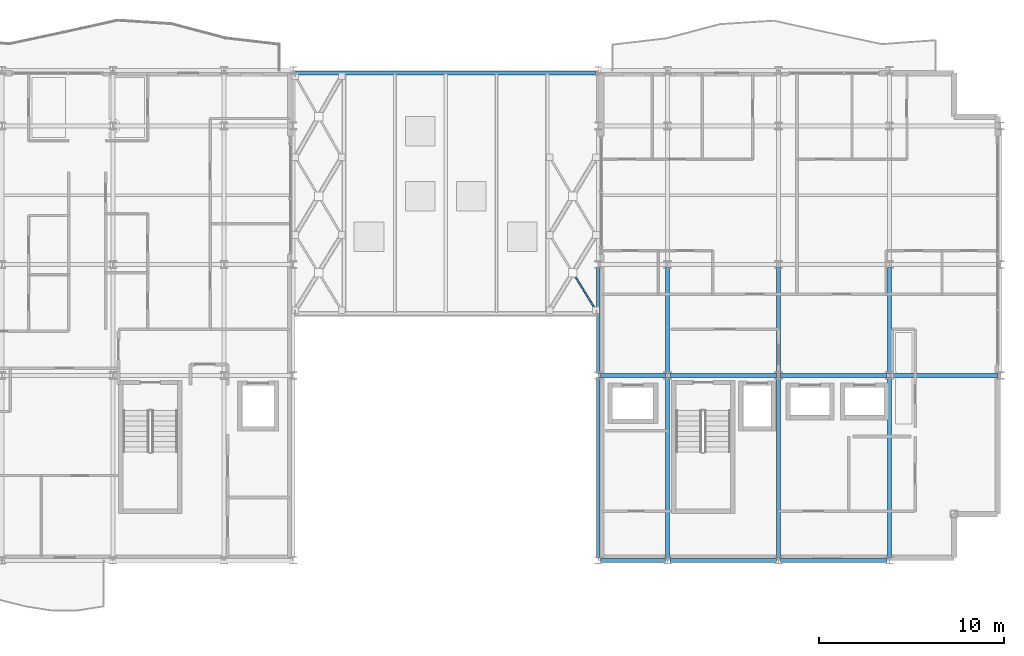
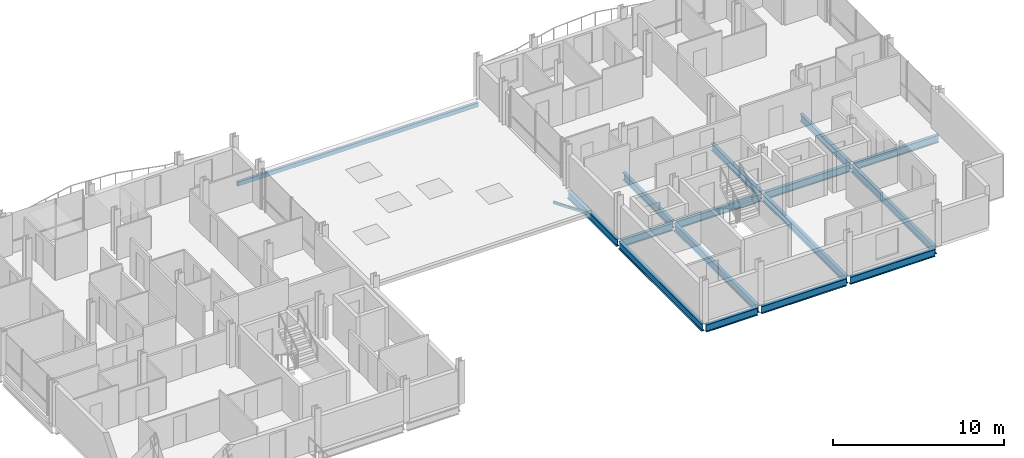
# One storey, part 12 of 33: 15 beams, 2 members.
"""IFC4 building model written with IfcOpenShell, lengths in metres."""

from ifc_helpers import new_model, si_unit, direction, frame, origin, origin_2d, place, context, subcontext, project, spatial, hollow_rectangle, i_section, extrude, material, material_profile, profile_set, type_object, element, save


model = new_model("IFC4")

# Units and contexts
model_context = context("Model", 3, precision=1e-05, world=origin(), true_north=direction((0.0, 1.0)))
body_context = subcontext(model_context, "Body", "Model", "MODEL_VIEW")
ifc_project = project(units=[si_unit("LENGTHUNIT", "METRE"), si_unit("AREAUNIT", "SQUARE_METRE"), si_unit("VOLUMEUNIT", "CUBIC_METRE"), si_unit("PLANEANGLEUNIT", "RADIAN"), si_unit("MASSUNIT", "GRAM", prefix="KILO")], contexts=[model_context])

# Site, building, storey
site_placement = place(None, origin())
site = spatial("IfcSite", under=ifc_project, at=site_placement, CompositionType="ELEMENT")
building_placement = place(site_placement, origin())
building = spatial("IfcBuilding", under=site, at=building_placement, Name="Brevholm Reach", CompositionType="ELEMENT")
storey_placement = place(building_placement, frame((0.0, 0.0, 189.39990234375)))
storey = spatial("IfcBuildingStorey", under=building, at=storey_placement, Name="L57", CompositionType="ELEMENT", Elevation=189.39990234375)

# Beams
ifc_material_1 = material(Name="Structural Steel S355J2", Category="steel")
ifc_material_profile_1 = material_profile(ifc_material_1, i_section(OverallWidth=0.209228515625, OverallDepth=0.533203125, WebThickness=0.010009765625, FlangeThickness=0.015625, FilletRadius=0.0126953125, at=origin_2d()), Name="UKB 533x210x92")
ifc_profile_set_1 = profile_set([ifc_material_profile_1], Name="Structural Steel S355J2")
beam_type_1 = type_object("IfcBeamType", Name="BM-SP533", PredefinedType="SPANDREL", material=ifc_profile_set_1)
beam_1_placement = place(storey_placement, frame((38.3701171875, 0.0, -0.4765625), z_axis=(1.0, 0.0, 0.0), x_axis=(0.0, 1.0, 0.0)))
element("IfcBeam", 1, at=beam_1_placement, inside=storey, type_object=beam_type_1, Name="L57 SP-02 Framing Beam", PredefinedType="SPANDREL", context=body_context, shape_type="SweptSolid", body=[
    extrude(i_section(OverallWidth=0.209228515625, OverallDepth=0.533203125, WebThickness=0.010009765625, FlangeThickness=0.015625, FilletRadius=0.0126953125, at=origin_2d()), origin(), (0.0, 0.0, 1.0), 3.509765625),
])
for number, where, z_axis, x_axis, name in (
    (2, (42.1201171875, 0.0, -0.4765625), (1.0, 0.0, 0.0), (0.0, 1.0, 0.0), "L57 SP-02 Framing Beam"),
    (3, (48.1201171875, 0.0, -0.4765625), (1.0, 0.0, 0.0), (0.0, 1.0, 0.0), "L57 SP-02 Framing Beam"),
):
    element("IfcBeam", number, at=place(storey_placement, frame(where, z_axis=z_axis, x_axis=x_axis)), inside=storey, type_object=beam_type_1, Name=name, PredefinedType="SPANDREL", context=body_context, shape_type="SweptSolid", body=[
        extrude(i_section(OverallWidth=0.209228515625, OverallDepth=0.533203125, WebThickness=0.010009765625, FlangeThickness=0.015625, FilletRadius=0.0126953125, at=origin_2d()), origin(), (0.0, 0.0, 1.0), 5.759765625),
    ])
beam_2_placement = place(storey_placement, frame((38.25, 0.1201171875, -0.4765625), z_axis=(0.0, 1.0, 0.0), x_axis=(-1.0, 0.0, 0.0)))
element("IfcBeam", 4, at=beam_2_placement, inside=storey, type_object=beam_type_1, Name="L57 SP-02 Framing Beam", PredefinedType="SPANDREL", context=body_context, shape_type="SweptSolid", body=[
    extrude(i_section(OverallWidth=0.209228515625, OverallDepth=0.533203125, WebThickness=0.010009765625, FlangeThickness=0.015625, FilletRadius=0.0126953125, at=origin_2d()), origin(), (0.0, 0.0, 1.0), 9.759765625),
])
beam_3_placement = place(storey_placement, frame((38.25, 10.1201171875, -0.4765625), z_axis=(0.0, 1.0, 0.0), x_axis=(-1.0, 0.0, 0.0)))
element("IfcBeam", 5, at=beam_3_placement, inside=storey, type_object=beam_type_1, Name="L57 SP-02 Framing Beam", PredefinedType="SPANDREL", context=body_context, shape_type="SweptSolid", body=[
    extrude(i_section(OverallWidth=0.209228515625, OverallDepth=0.533203125, WebThickness=0.010009765625, FlangeThickness=0.015625, FilletRadius=0.0126953125, at=origin_2d()), origin(), (0.0, 0.0, 1.0), 5.759765625),
])
ifc_material_2 = material(Name="Structural Steel S355J2", Category="steel")
ifc_material_profile_2 = material_profile(ifc_material_2, i_section(OverallWidth=0.210693359375, OverallDepth=0.53955078125, WebThickness=0.01171875, FlangeThickness=0.018798828125, FilletRadius=0.0126953125, at=origin_2d()), Name="UKB 533x210x109")
ifc_profile_set_2 = profile_set([ifc_material_profile_2], Name="Structural Steel S355J2")
beam_type_2 = type_object("IfcBeamType", Name="BM-SP539", PredefinedType="SPANDREL", material=ifc_profile_set_2)
beam_4_placement = place(storey_placement, frame((38.3701171875, 10.0, -0.479736328125), z_axis=(1.0, 0.0, 0.0), x_axis=(0.0, 1.0, 0.0)))
element("IfcBeam", 6, at=beam_4_placement, inside=storey, type_object=beam_type_2, Name="L57 SP-01B Framing Beam", PredefinedType="SPANDREL", context=body_context, shape_type="SweptSolid", body=[
    extrude(i_section(OverallWidth=0.210693359375, OverallDepth=0.53955078125, WebThickness=0.01171875, FlangeThickness=0.018798828125, FilletRadius=0.0126953125, at=origin_2d()), origin(), (0.0, 0.0, 1.0), 3.509765625),
])
for number, where, z_axis, x_axis, name in (
    (7, (42.1201171875, 10.0, -0.479736328125), (1.0, 0.0, 0.0), (0.0, 1.0, 0.0), "L57 SP-01B Framing Beam"),
    (8, (48.1201171875, 10.0, -0.479736328125), (1.0, 0.0, 0.0), (0.0, 1.0, 0.0), "L57 SP-01B Framing Beam"),
    (9, (54.1201171875, 10.0, -0.479736328125), (1.0, 0.0, 0.0), (0.0, 1.0, 0.0), "L57 SP-01B Framing Beam"),
):
    element("IfcBeam", number, at=place(storey_placement, frame(where, z_axis=z_axis, x_axis=x_axis)), inside=storey, type_object=beam_type_2, Name=name, PredefinedType="SPANDREL", context=body_context, shape_type="SweptSolid", body=[
        extrude(i_section(OverallWidth=0.210693359375, OverallDepth=0.53955078125, WebThickness=0.01171875, FlangeThickness=0.018798828125, FilletRadius=0.0126953125, at=origin_2d()), origin(), (0.0, 0.0, 1.0), 5.759765625),
    ])
beam_5_placement = place(storey_placement, frame((42.0, 0.1201171875, -0.479736328125), z_axis=(0.0, 1.0, 0.0), x_axis=(-1.0, 0.0, 0.0)))
element("IfcBeam", 10, at=beam_5_placement, inside=storey, type_object=beam_type_2, Name="L57 SP-01B Framing Beam", PredefinedType="SPANDREL", context=body_context, shape_type="SweptSolid", body=[
    extrude(i_section(OverallWidth=0.210693359375, OverallDepth=0.53955078125, WebThickness=0.01171875, FlangeThickness=0.018798828125, FilletRadius=0.0126953125, at=origin_2d()), origin(), (0.0, 0.0, 1.0), 9.759765625),
])
beam_6_placement = place(storey_placement, frame((42.0, 10.1201171875, -0.479736328125), z_axis=(0.0, 1.0, 0.0), x_axis=(-1.0, 0.0, 0.0)))
element("IfcBeam", 11, at=beam_6_placement, inside=storey, type_object=beam_type_2, Name="L57 SP-01B Framing Beam", PredefinedType="SPANDREL", context=body_context, shape_type="SweptSolid", body=[
    extrude(i_section(OverallWidth=0.210693359375, OverallDepth=0.53955078125, WebThickness=0.01171875, FlangeThickness=0.018798828125, FilletRadius=0.0126953125, at=origin_2d()), origin(), (0.0, 0.0, 1.0), 5.759765625),
])
beam_7_placement = place(storey_placement, frame((48.0, 0.1201171875, -0.479736328125), z_axis=(0.0, 1.0, 0.0), x_axis=(-1.0, 0.0, 0.0)))
element("IfcBeam", 12, at=beam_7_placement, inside=storey, type_object=beam_type_2, Name="L57 SP-01B Framing Beam", PredefinedType="SPANDREL", context=body_context, shape_type="SweptSolid", body=[
    extrude(i_section(OverallWidth=0.210693359375, OverallDepth=0.53955078125, WebThickness=0.01171875, FlangeThickness=0.018798828125, FilletRadius=0.0126953125, at=origin_2d()), origin(), (0.0, 0.0, 1.0), 9.759765625),
])
beam_8_placement = place(storey_placement, frame((48.0, 10.1201171875, -0.479736328125), z_axis=(0.0, 1.0, 0.0), x_axis=(-1.0, 0.0, 0.0)))
element("IfcBeam", 13, at=beam_8_placement, inside=storey, type_object=beam_type_2, Name="L57 SP-01B Framing Beam", PredefinedType="SPANDREL", context=body_context, shape_type="SweptSolid", body=[
    extrude(i_section(OverallWidth=0.210693359375, OverallDepth=0.53955078125, WebThickness=0.01171875, FlangeThickness=0.018798828125, FilletRadius=0.0126953125, at=origin_2d()), origin(), (0.0, 0.0, 1.0), 5.759765625),
])
beam_9_placement = place(storey_placement, frame((54.0, 0.1201171875, -0.479736328125), z_axis=(0.0, 1.0, 0.0), x_axis=(-1.0, 0.0, 0.0)))
element("IfcBeam", 14, at=beam_9_placement, inside=storey, type_object=beam_type_2, Name="L57 SP-01B Framing Beam", PredefinedType="SPANDREL", context=body_context, shape_type="SweptSolid", body=[
    extrude(i_section(OverallWidth=0.210693359375, OverallDepth=0.53955078125, WebThickness=0.01171875, FlangeThickness=0.018798828125, FilletRadius=0.0126953125, at=origin_2d()), origin(), (0.0, 0.0, 1.0), 9.759765625),
])
beam_10_placement = place(storey_placement, frame((54.0, 10.1201171875, -0.479736328125), z_axis=(0.0, 1.0, 0.0), x_axis=(-1.0, 0.0, 0.0)))
element("IfcBeam", 15, at=beam_10_placement, inside=storey, type_object=beam_type_2, Name="L57 SP-01B Framing Beam", PredefinedType="SPANDREL", context=body_context, shape_type="SweptSolid", body=[
    extrude(i_section(OverallWidth=0.210693359375, OverallDepth=0.53955078125, WebThickness=0.01171875, FlangeThickness=0.018798828125, FilletRadius=0.0126953125, at=origin_2d()), origin(), (0.0, 0.0, 1.0), 5.759765625),
])

# Members
ifc_material_3 = material(Name="Structural Steel S355J2H", Category="steel")
ifc_material_profile_3 = material_profile(ifc_material_3, hollow_rectangle(XDim=0.10009765625, YDim=0.199951171875, WallThickness=0.008056640625, InnerFilletRadius=0.008056640625, OuterFilletRadius=0.01611328125, at=origin_2d()), Name="RHS 200x100x8")
ifc_profile_set_3 = profile_set([ifc_material_profile_3], Name="Structural Steel S355J2H")
member_type_1 = type_object("IfcMemberType", Name="MEM-BR-RHS200", PredefinedType="BRACE", material=ifc_profile_set_3)
member_1_placement = place(storey_placement, frame((36.963623046875, 15.423583984375, -0.35498046875), z_axis=(0.522418441561, -0.852689258709, 0.0), x_axis=(0.852689258709, 0.522418441561, 0.0)))
element("IfcMember", 16, at=member_1_placement, inside=storey, type_object=member_type_1, Name="L57 Skylight Secondary Wind Tie 4B", PredefinedType="BRACE", context=body_context, shape_type="SweptSolid", body=[
    extrude(hollow_rectangle(XDim=0.10009765625, YDim=0.199951171875, WallThickness=0.008056640625, InnerFilletRadius=0.008056640625, OuterFilletRadius=0.01611328125, at=origin_2d()), origin(), (0.0, 0.0, 1.0), 2.232421875),
])
ifc_material_4 = material(Name="Structural Steel S355J2H", Category="steel")
ifc_material_profile_4 = material_profile(ifc_material_4, hollow_rectangle(XDim=0.199951171875, YDim=0.300048828125, WallThickness=0.012451171875, InnerFilletRadius=0.011962890625, OuterFilletRadius=0.02392578125, at=origin_2d()), Name="RHS 300x200x12.5")
ifc_profile_set_4 = profile_set([ifc_material_profile_4], Name="Structural Steel S355J2H")
member_type_2 = type_object("IfcMemberType", Name="MEM-CH-RHS300", PredefinedType="CHORD", material=ifc_profile_set_4)
member_2_placement = place(storey_placement, frame((21.860107421875, 26.35009765625, -0.35498046875), z_axis=(1.0, 0.0, 0.0), x_axis=(0.0, 1.0, 0.0)))
element("IfcMember", 17, at=member_2_placement, inside=storey, type_object=member_type_2, Name="L57 Atrium Skylight Header Chord 2", PredefinedType="CHORD", context=body_context, shape_type="SweptSolid", body=[
    extrude(hollow_rectangle(XDim=0.199951171875, YDim=0.300048828125, WallThickness=0.012451171875, InnerFilletRadius=0.011962890625, OuterFilletRadius=0.02392578125, at=origin_2d()), origin(), (0.0, 0.0, 1.0), 16.27978515625),
])

save(model, "model.ifc")
